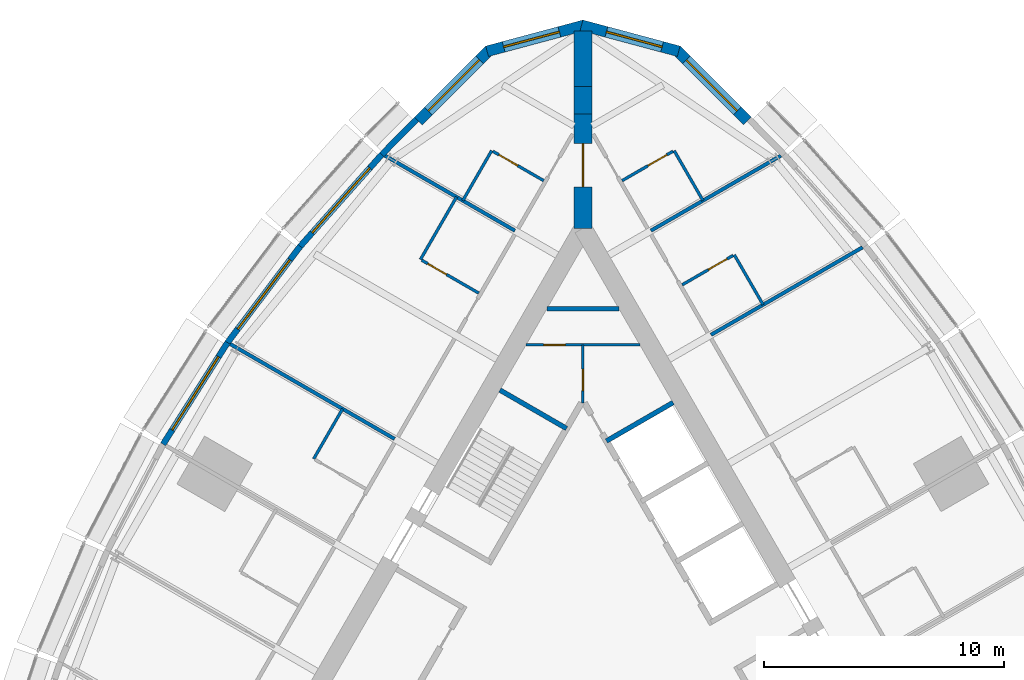
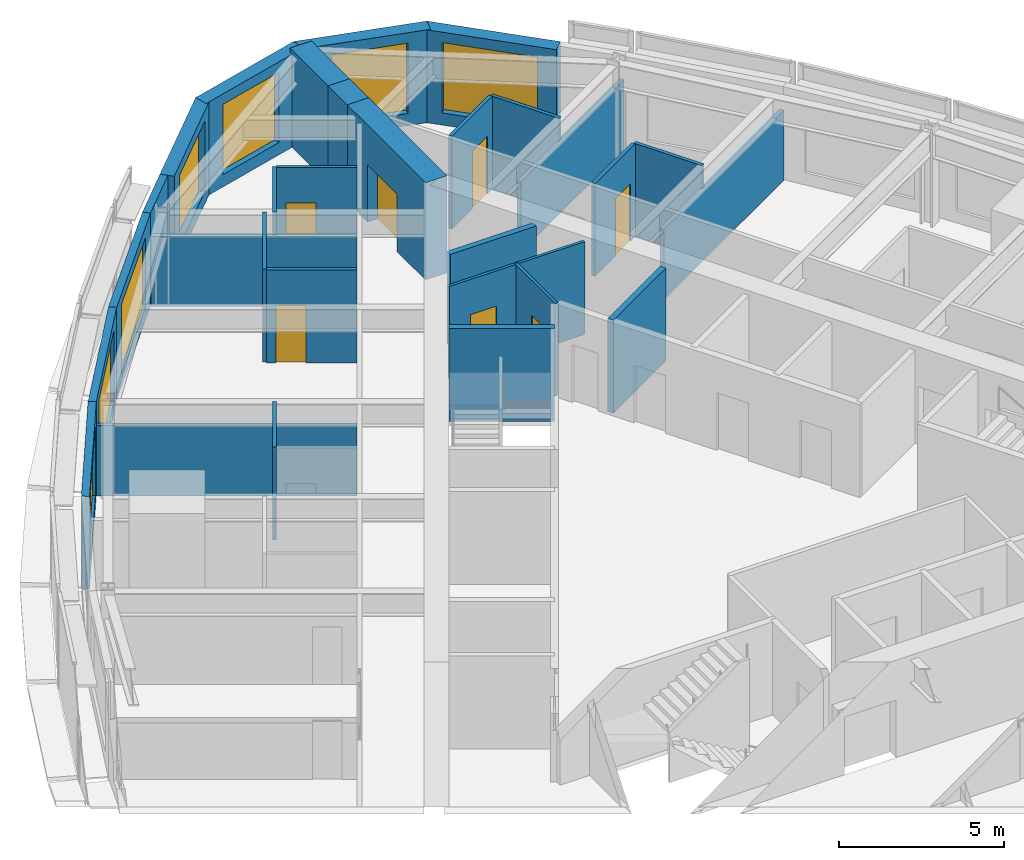
# One storey, part 13 of 15: 29 walls, 7 doors, 7 windows, 14 openings.
"""IFC4 building model written with IfcOpenShell, lengths in metres."""

from ifc_helpers import new_model, si_unit, direction, frame, frame_2d, origin, place, context, subcontext, project, spatial, polyline, rectangle, outline, extrude, material, layer, layer_set, type_object, element, fill, save


model = new_model("IFC4")

# Units and contexts
model_context = context("Model", 3, precision=1e-05, world=origin(), true_north=direction((0.0, 1.0)))
body_context = subcontext(model_context, "Body", "Model", "MODEL_VIEW")
ifc_project = project(units=[si_unit("LENGTHUNIT", "METRE"), si_unit("AREAUNIT", "SQUARE_METRE"), si_unit("VOLUMEUNIT", "CUBIC_METRE"), si_unit("PLANEANGLEUNIT", "RADIAN"), si_unit("MASSUNIT", "GRAM", prefix="KILO")], contexts=[model_context])

# Site, building, storey
site_placement = place(None, origin())
site = spatial("IfcSite", under=ifc_project, at=site_placement, CompositionType="ELEMENT")
building_placement = place(site_placement, origin())
building = spatial("IfcBuilding", under=site, at=building_placement, Name="Trikona Tower", CompositionType="ELEMENT")
storey_placement = place(building_placement, frame((0.0, 0.0, 208.10009765625)))
storey = spatial("IfcBuildingStorey", under=building, at=storey_placement, Name="L55", CompositionType="ELEMENT", Elevation=208.10009765625)

# Wall
ifc_material_1 = material(Name="Metal stud and cement board", Category="gypsum")
ifc_layer_1 = layer(ifc_material_1, 0.1201171875)
ifc_layer_set_1 = layer_set([ifc_layer_1], Name="Bathroom wall 120")
wall_type_1 = type_object("IfcWallType", Name="Bathroom wall 120", PredefinedType="PLUMBINGWALL", material=ifc_layer_set_1)
wall_1_placement = place(storey_placement, frame((7.493408203125, 15.873291015625, 0.0), z_axis=(0.0, 0.0, 1.0), x_axis=(-0.499957262057, 0.866050077142, 0.0)))
element("IfcWall", 1, at=wall_1_placement, inside=storey, type_object=wall_type_1, Name="Bathroom wall 5510", PredefinedType="PLUMBINGWALL", context=body_context, shape_type="SweptSolid", body=[
    extrude(rectangle(XDim=2.400146484375, YDim=0.1201171875, at=frame_2d((1.2001953125, 0.0))), origin(), (0.0, 0.0, 1.0), 3.434814453125),
])

# Wall, opening, door
wall_2_placement = place(storey_placement, frame((4.12841796875, 16.701904296875, 0.0), z_axis=(0.0, 0.0, 1.0), x_axis=(0.866048967903, 0.499959183527, 0.0)))
wall_2 = element("IfcWall", 2, at=wall_2_placement, inside=storey, type_object=wall_type_1, Name="Bathroom wall 5510", PredefinedType="PLUMBINGWALL", context=body_context, shape_type="SweptSolid", body=[
    extrude(rectangle(XDim=2.440185546875, YDim=0.1201171875, at=frame_2d((1.22021484375, 0.0))), origin(), (0.0, 0.0, 1.0), 3.434814453125),
])
opening_1_placement = place(wall_2_placement, frame((1.25, 0.0, 0.0)))
opening_1 = element("IfcOpeningElement", 3, at=opening_1_placement, cuts=wall_2, Name="Opening D2", PredefinedType="OPENING", context=body_context, shape_type="SweptSolid", body=[
    extrude(rectangle(XDim=0.89990234375, YDim=2.1298828125, at=frame_2d((0.449951171875, 1.06494140625))), frame((0.0, 0.070068359375, 0.0), z_axis=(0.0, -1.0, 0.0), x_axis=(1.0, 0.0, 0.0)), (0.0, 0.0, 1.0), 0.14013671875),
])
ifc_material_2 = material(Name="Steel door frame with solid-core timber leaf", Category="steel")
door_type_1 = type_object("IfcDoorType", Name="Bathroom door 900x2130", OperationType="SLIDING_TO_LEFT", PredefinedType="DOOR", material=ifc_material_2)
door_1_placement = place(opening_1_placement, origin())
door_1 = element("IfcDoor", 4, at=door_1_placement, inside=storey, type_object=door_type_1, Name="Bathroom door 5510", OperationType="SLIDING_TO_LEFT", OverallHeight=2.1298828125, OverallWidth=0.89990234375, PredefinedType="DOOR", context=body_context, shape_type="SweptSolid", body=[
    extrude(rectangle(XDim=0.89990234375, YDim=2.1298828125, at=frame_2d((0.449951171875, 1.06494140625))), frame((0.0, 0.02490234375, 0.0), z_axis=(0.0, -1.0, 0.0), x_axis=(1.0, 0.0, 0.0)), (0.0, 0.0, 1.0), 0.050048828125),
])
fill(opening_1, door_1)

# Wall
wall_3_placement = place(storey_placement, frame((4.993408203125, 20.20361328125, 0.0), z_axis=(0.0, 0.0, 1.0), x_axis=(-0.500001309137, 0.866024647952, 0.0)))
element("IfcWall", 5, at=wall_3_placement, inside=storey, type_object=wall_type_1, Name="Bathroom wall 5511", PredefinedType="PLUMBINGWALL", context=body_context, shape_type="SweptSolid", body=[
    extrude(rectangle(XDim=2.39990234375, YDim=0.1201171875, at=frame_2d((1.199951171875, 0.0))), origin(), (0.0, 0.0, 1.0), 3.434814453125),
])

# Wall, opening, door
wall_4_placement = place(storey_placement, frame((1.62841796875, 21.031982421875, 0.0), z_axis=(0.0, 0.0, 1.0), x_axis=(0.866048967903, 0.499959183527, 0.0)))
wall_4 = element("IfcWall", 6, at=wall_4_placement, inside=storey, type_object=wall_type_1, Name="Bathroom wall 5511", PredefinedType="PLUMBINGWALL", context=body_context, shape_type="SweptSolid", body=[
    extrude(rectangle(XDim=2.440185546875, YDim=0.1201171875, at=frame_2d((1.22021484375, 0.0))), origin(), (0.0, 0.0, 1.0), 3.434814453125),
])
opening_2_placement = place(wall_4_placement, frame((1.25, 0.0, 0.0)))
opening_2 = element("IfcOpeningElement", 7, at=opening_2_placement, cuts=wall_4, Name="Opening D2", PredefinedType="OPENING", context=body_context, shape_type="SweptSolid", body=[
    extrude(rectangle(XDim=0.89990234375, YDim=2.1298828125, at=frame_2d((0.449951171875, 1.06494140625))), frame((0.0, 0.070068359375, 0.0), z_axis=(0.0, -1.0, 0.0), x_axis=(1.0, 0.0, 0.0)), (0.0, 0.0, 1.0), 0.14013671875),
])
door_2_placement = place(opening_2_placement, origin())
door_2 = element("IfcDoor", 8, at=door_2_placement, inside=storey, type_object=door_type_1, Name="Bathroom door 5511", OperationType="SLIDING_TO_LEFT", OverallHeight=2.1298828125, OverallWidth=0.89990234375, PredefinedType="DOOR", context=body_context, shape_type="SweptSolid", body=[
    extrude(rectangle(XDim=0.89990234375, YDim=2.1298828125, at=frame_2d((0.449951171875, 1.06494140625))), frame((0.0, 0.02490234375, 0.0), z_axis=(0.0, -1.0, 0.0), x_axis=(1.0, 0.0, 0.0)), (0.0, 0.0, 1.0), 0.050048828125),
])
fill(opening_2, door_2)

# Wall
wall_5_placement = place(storey_placement, frame((-3.79345703125, 22.281982421875, 0.0), z_axis=(0.0, 0.0, 1.0), x_axis=(-0.500001309137, -0.866024647952, 0.0)))
element("IfcWall", 9, at=wall_5_placement, inside=storey, type_object=wall_type_1, Name="Bathroom wall 5512", PredefinedType="PLUMBINGWALL", context=body_context, shape_type="SweptSolid", body=[
    extrude(rectangle(XDim=2.39990234375, YDim=0.1201171875, at=frame_2d((1.199951171875, 0.0))), origin(), (0.0, 0.0, 1.0), 3.434814453125),
])

# Wall, opening, door
wall_6_placement = place(storey_placement, frame((-1.62841796875, 21.031982421875, 0.0), z_axis=(0.0, 0.0, 1.0), x_axis=(-0.866048967903, 0.499959183527, 0.0)))
wall_6 = element("IfcWall", 10, at=wall_6_placement, inside=storey, type_object=wall_type_1, Name="Bathroom wall 5512", PredefinedType="PLUMBINGWALL", context=body_context, shape_type="SweptSolid", body=[
    extrude(rectangle(XDim=2.440185546875, YDim=0.1201171875, at=frame_2d((1.22021484375, 0.0))), origin(), (0.0, 0.0, 1.0), 3.434814453125),
])
opening_3_placement = place(wall_6_placement, frame((1.25, 0.0, 0.0)))
opening_3 = element("IfcOpeningElement", 11, at=opening_3_placement, cuts=wall_6, Name="Opening D2", PredefinedType="OPENING", context=body_context, shape_type="SweptSolid", body=[
    extrude(rectangle(XDim=0.89990234375, YDim=2.1298828125, at=frame_2d((0.449951171875, 1.06494140625))), frame((0.0, 0.070068359375, 0.0), z_axis=(0.0, -1.0, 0.0), x_axis=(1.0, 0.0, 0.0)), (0.0, 0.0, 1.0), 0.14013671875),
])
door_3_placement = place(opening_3_placement, origin())
door_3 = element("IfcDoor", 12, at=door_3_placement, inside=storey, type_object=door_type_1, Name="Bathroom door 5512", OperationType="SLIDING_TO_LEFT", OverallHeight=2.1298828125, OverallWidth=0.89990234375, PredefinedType="DOOR", context=body_context, shape_type="SweptSolid", body=[
    extrude(rectangle(XDim=0.89990234375, YDim=2.1298828125, at=frame_2d((0.449951171875, 1.06494140625))), frame((0.0, 0.02490234375, 0.0), z_axis=(0.0, -1.0, 0.0), x_axis=(1.0, 0.0, 0.0)), (0.0, 0.0, 1.0), 0.050048828125),
])
fill(opening_3, door_3)

# Wall
wall_7_placement = place(storey_placement, frame((-5.25341796875, 20.353515625, 0.0), z_axis=(0.0, 0.0, 1.0), x_axis=(-0.499990139034, -0.866031096941, 0.0)))
element("IfcWall", 13, at=wall_7_placement, inside=storey, type_object=wall_type_1, Name="Bathroom wall 5513", PredefinedType="PLUMBINGWALL", context=body_context, shape_type="SweptSolid", body=[
    extrude(rectangle(XDim=3.0, YDim=0.1201171875, at=frame_2d((1.5, 0.0))), origin(), (0.0, 0.0, 1.0), 3.434814453125),
])

# Wall, opening, door
wall_8_placement = place(storey_placement, frame((-4.32861328125, 16.35546875, 0.0), z_axis=(0.0, 0.0, 1.0), x_axis=(-0.866035715982, 0.499982138324, 0.0)))
wall_8 = element("IfcWall", 14, at=wall_8_placement, inside=storey, type_object=wall_type_1, Name="Bathroom wall 5513", PredefinedType="PLUMBINGWALL", context=body_context, shape_type="SweptSolid", body=[
    extrude(rectangle(XDim=2.73974609375, YDim=0.1201171875, at=frame_2d((1.369873046875, 0.0))), origin(), (0.0, 0.0, 1.0), 3.434814453125),
])
opening_4_placement = place(wall_8_placement, frame((1.550048828125, 0.0, 0.0)))
opening_4 = element("IfcOpeningElement", 15, at=opening_4_placement, cuts=wall_8, Name="Opening D2", PredefinedType="OPENING", context=body_context, shape_type="SweptSolid", body=[
    extrude(rectangle(XDim=0.89990234375, YDim=2.1298828125, at=frame_2d((0.449951171875, 1.06494140625))), frame((0.0, 0.070068359375, 0.0), z_axis=(0.0, -1.0, 0.0), x_axis=(1.0, 0.0, 0.0)), (0.0, 0.0, 1.0), 0.14013671875),
])
door_4_placement = place(opening_4_placement, origin())
door_4 = element("IfcDoor", 16, at=door_4_placement, inside=storey, type_object=door_type_1, Name="Bathroom door 5513", OperationType="SLIDING_TO_LEFT", OverallHeight=2.1298828125, OverallWidth=0.89990234375, PredefinedType="DOOR", context=body_context, shape_type="SweptSolid", body=[
    extrude(rectangle(XDim=0.89990234375, YDim=2.1298828125, at=frame_2d((0.449951171875, 1.06494140625))), frame((0.0, 0.02490234375, 0.0), z_axis=(0.0, -1.0, 0.0), x_axis=(1.0, 0.0, 0.0)), (0.0, 0.0, 1.0), 0.050048828125),
])
fill(opening_4, door_4)

# Wall
wall_9_placement = place(storey_placement, frame((-9.993408203125, 11.543212890625, 0.0), z_axis=(0.0, 0.0, 1.0), x_axis=(-0.500077600433, -0.865980596518, 0.0)))
element("IfcWall", 17, at=wall_9_placement, inside=storey, type_object=wall_type_1, Name="Bathroom wall 5514", PredefinedType="PLUMBINGWALL", context=body_context, shape_type="SweptSolid", body=[
    extrude(rectangle(XDim=2.39990234375, YDim=0.1201171875, at=frame_2d((1.199951171875, 0.0))), origin(), (0.0, 0.0, 1.0), 3.434814453125),
])

# Wall, opening, window
ifc_material_3 = material(Name="Brick-faced precast concrete", Category="masonry")
ifc_layer_2 = layer(ifc_material_3, 0.449951171875)
ifc_layer_set_2 = layer_set([ifc_layer_2], Name="Brick-faced corner wall 450")
wall_type_2 = type_object("IfcWallType", Name="Brick-faced corner wall 450", PredefinedType="SOLIDWALL", material=ifc_layer_set_2)
wall_10_placement = place(storey_placement, frame((6.8408203125, 23.51220703125, 0.0), z_axis=(0.0, 0.0, 1.0), x_axis=(-0.707106781187, 0.707106781187, 0.0)))
wall_10 = element("IfcWall", 18, at=wall_10_placement, inside=storey, type_object=wall_type_2, Name="External wall L55-20", PredefinedType="SOLIDWALL", context=body_context, shape_type="SweptSolid", body=[
    extrude(rectangle(XDim=4.183837890625, YDim=0.449951171875, at=frame_2d((2.091796875, 0.0))), origin(), (0.0, 0.0, 1.0), 3.434814453125),
])
opening_5_placement = place(wall_10_placement, frame((0.592041015625, 0.0, 0.449951171875)))
opening_5 = element("IfcOpeningElement", 19, at=opening_5_placement, cuts=wall_10, Name="Opening W3026", PredefinedType="OPENING", context=body_context, shape_type="SweptSolid", body=[
    extrude(rectangle(XDim=3.0, YDim=2.60009765625, at=frame_2d((1.5, 1.300048828125))), frame((0.0, 0.23486328125, 0.0), z_axis=(0.0, -1.0, 0.0), x_axis=(1.0, 0.0, 0.0)), (0.0, 0.0, 1.0), 0.469970703125),
])
ifc_material_4 = material(Name="Aluminium-framed double glazing", Category="aluminium")
window_type_1 = type_object("IfcWindowType", Name="Window 3000x2600", PartitioningType="SINGLE_PANEL", PredefinedType="WINDOW", material=ifc_material_4)
window_1_placement = place(opening_5_placement, origin())
window_1 = element("IfcWindow", 20, at=window_1_placement, inside=storey, type_object=window_type_1, Name="Window 5511", OverallHeight=2.60009765625, OverallWidth=3.0, PartitioningType="SINGLE_PANEL", PredefinedType="WINDOW", context=body_context, shape_type="SweptSolid", body=[
    extrude(rectangle(XDim=3.0, YDim=2.60009765625, at=frame_2d((1.5, 1.300048828125))), frame((0.0, 0.030029296875, 0.0), z_axis=(0.0, -1.0, 0.0), x_axis=(1.0, 0.0, 0.0)), (0.0, 0.0, 1.0), 0.06005859375),
])
fill(opening_5, window_1)

wall_11_placement = place(storey_placement, frame((3.9833984375, 26.41259765625, 0.0), z_axis=(0.0, 0.0, 1.0), x_axis=(-0.965920442324, 0.258839137498, 0.0)))
wall_11 = element("IfcWall", 21, at=wall_11_placement, inside=storey, type_object=wall_type_2, Name="External wall L55-21", PredefinedType="SOLIDWALL", context=body_context, shape_type="SweptSolid", body=[
    extrude(outline(polyline([(4.18408203125, 0.22509765625), (4.124267578125, 0.22509765625), (3.70556640625, 0.11279296875), (3.675537109375, 0.22509765625), (0.0, 0.22509765625), (0.0, -0.22509765625), (4.18408203125, -0.22509765625), (4.18408203125, 0.22509765625)])), origin(), (0.0, 0.0, 1.0), 3.434814453125),
])
opening_6_placement = place(wall_11_placement, frame((0.712646484375, 0.0, 0.449951171875)))
opening_6 = element("IfcOpeningElement", 22, at=opening_6_placement, cuts=wall_11, Name="Opening W2426", PredefinedType="OPENING", context=body_context, shape_type="SweptSolid", body=[
    extrude(rectangle(XDim=2.39990234375, YDim=2.60009765625, at=frame_2d((1.199951171875, 1.300048828125))), frame((0.0, 0.23486328125, 0.0), z_axis=(0.0, -1.0, 0.0), x_axis=(1.0, 0.0, 0.0)), (0.0, 0.0, 1.0), 0.469970703125),
])
ifc_material_5 = material(Name="Aluminium-framed double glazing", Category="aluminium")
window_type_2 = type_object("IfcWindowType", Name="Window 2400x2600", PartitioningType="SINGLE_PANEL", PredefinedType="WINDOW", material=ifc_material_5)
window_2_placement = place(opening_6_placement, origin())
window_2 = element("IfcWindow", 23, at=window_2_placement, inside=storey, type_object=window_type_2, Name="Window 5511", OverallHeight=2.60009765625, OverallWidth=2.39990234375, PartitioningType="SINGLE_PANEL", PredefinedType="WINDOW", context=body_context, shape_type="SweptSolid", body=[
    extrude(rectangle(XDim=2.39990234375, YDim=2.60009765625, at=frame_2d((1.199951171875, 1.300048828125))), frame((0.0, 0.030029296875, 0.0), z_axis=(0.0, -1.0, 0.0), x_axis=(1.0, 0.0, 0.0)), (0.0, 0.0, 1.0), 0.06005859375),
])
fill(opening_6, window_2)

wall_12_placement = place(storey_placement, frame((0.05810546875, 27.49560546875, 0.0), z_axis=(0.0, 0.0, 1.0), x_axis=(-0.965920442324, -0.258839137498, 0.0)))
wall_12 = element("IfcWall", 24, at=wall_12_placement, inside=storey, type_object=wall_type_2, Name="External wall L55-22", PredefinedType="SOLIDWALL", context=body_context, shape_type="SweptSolid", body=[
    extrude(outline(polyline([(4.18408203125, 0.22509765625), (0.5087890625, 0.22509765625), (0.478515625, 0.11279296875), (0.059814453125, 0.22509765625), (0.0, 0.22509765625), (0.0, -0.22509765625), (4.18408203125, -0.22509765625), (4.18408203125, 0.22509765625)])), origin(), (0.0, 0.0, 1.0), 3.434814453125),
])
opening_7_placement = place(wall_12_placement, frame((1.0712890625, 0.0, 0.449951171875)))
opening_7 = element("IfcOpeningElement", 25, at=opening_7_placement, cuts=wall_12, Name="Opening W2426", PredefinedType="OPENING", context=body_context, shape_type="SweptSolid", body=[
    extrude(rectangle(XDim=2.39990234375, YDim=2.60009765625, at=frame_2d((1.199951171875, 1.300048828125))), frame((0.0, 0.23486328125, 0.0), z_axis=(0.0, -1.0, 0.0), x_axis=(1.0, 0.0, 0.0)), (0.0, 0.0, 1.0), 0.469970703125),
])
window_3_placement = place(opening_7_placement, origin())
window_3 = element("IfcWindow", 26, at=window_3_placement, inside=storey, type_object=window_type_2, Name="Window 5512", OverallHeight=2.60009765625, OverallWidth=2.39990234375, PartitioningType="SINGLE_PANEL", PredefinedType="WINDOW", context=body_context, shape_type="SweptSolid", body=[
    extrude(rectangle(XDim=2.39990234375, YDim=2.60009765625, at=frame_2d((1.199951171875, 1.300048828125))), frame((0.0, 0.030029296875, 0.0), z_axis=(0.0, -1.0, 0.0), x_axis=(1.0, 0.0, 0.0)), (0.0, 0.0, 1.0), 0.06005859375),
])
fill(opening_7, window_3)

wall_13_placement = place(storey_placement, frame((-3.88232421875, 26.470703125, 0.0), z_axis=(0.0, 0.0, 1.0), x_axis=(-0.707106781187, -0.707106781187, 0.0)))
wall_13 = element("IfcWall", 27, at=wall_13_placement, inside=storey, type_object=wall_type_2, Name="External wall L55-23", PredefinedType="SOLIDWALL", context=body_context, shape_type="SweptSolid", body=[
    extrude(rectangle(XDim=4.183837890625, YDim=0.449951171875, at=frame_2d((2.091796875, 0.0))), origin(), (0.0, 0.0, 1.0), 3.434814453125),
])
opening_8_placement = place(wall_13_placement, frame((0.592041015625, 0.0, 0.449951171875)))
opening_8 = element("IfcOpeningElement", 28, at=opening_8_placement, cuts=wall_13, Name="Opening W3026", PredefinedType="OPENING", context=body_context, shape_type="SweptSolid", body=[
    extrude(rectangle(XDim=3.0, YDim=2.60009765625, at=frame_2d((1.5, 1.300048828125))), frame((0.0, 0.23486328125, 0.0), z_axis=(0.0, -1.0, 0.0), x_axis=(1.0, 0.0, 0.0)), (0.0, 0.0, 1.0), 0.469970703125),
])
window_4_placement = place(opening_8_placement, origin())
window_4 = element("IfcWindow", 29, at=window_4_placement, inside=storey, type_object=window_type_1, Name="Window 5512", OverallHeight=2.60009765625, OverallWidth=3.0, PartitioningType="SINGLE_PANEL", PredefinedType="WINDOW", context=body_context, shape_type="SweptSolid", body=[
    extrude(rectangle(XDim=3.0, YDim=2.60009765625, at=frame_2d((1.5, 1.300048828125))), frame((0.0, 0.030029296875, 0.0), z_axis=(0.0, -1.0, 0.0), x_axis=(1.0, 0.0, 0.0)), (0.0, 0.0, 1.0), 0.06005859375),
])
fill(opening_8, window_4)

# Wall, opening, door
ifc_material_6 = material(Name="Concrete f'c 10000 psi", Category="concrete")
ifc_layer_3 = layer(ifc_material_6, 0.75)
ifc_layer_set_3 = layer_set([ifc_layer_3], Name="Buttress wall 750")
wall_type_3 = type_object("IfcWallType", Name="Buttress wall 750", PredefinedType="SHEAR", material=ifc_layer_set_3)
wall_14_placement = place(storey_placement, frame((0.0, 19.052490234375, 0.0), z_axis=(0.0, 0.0, 1.0), x_axis=(0.0, 1.0, 0.0)))
wall_14 = element("IfcWall", 30, at=wall_14_placement, inside=storey, type_object=wall_type_3, Name="Buttress wall 2", PredefinedType="SHEAR", context=body_context, shape_type="SweptSolid", body=[
    extrude(rectangle(XDim=4.74609375, YDim=0.75, at=frame_2d((2.373046875, 0.0))), origin(), (0.0, 0.0, 1.0), 3.599853515625),
])
opening_9_placement = place(wall_14_placement, frame((1.72509765625, 0.0, 0.0)))
opening_9 = element("IfcOpeningElement", 31, at=opening_9_placement, cuts=wall_14, Name="Opening D10", PredefinedType="OPENING", context=body_context, shape_type="SweptSolid", body=[
    extrude(rectangle(XDim=1.800048828125, YDim=2.1298828125, at=frame_2d((0.89990234375, 1.06494140625))), frame((0.0, 0.385009765625, 0.0), z_axis=(0.0, -1.0, 0.0), x_axis=(1.0, 0.0, 0.0)), (0.0, 0.0, 1.0), 0.77001953125),
])
ifc_material_7 = material(Name="Hollow metal door and frame", Category="steel")
door_type_2 = type_object("IfcDoorType", Name="Cross-corridor door pair 1800x2130", OperationType="DOUBLE_DOOR_DOUBLE_SWING", PredefinedType="DOOR", material=ifc_material_7)
door_5_placement = place(opening_9_placement, origin())
door_5 = element("IfcDoor", 32, at=door_5_placement, inside=storey, type_object=door_type_2, Name="Cross-corridor door 2", OperationType="DOUBLE_DOOR_DOUBLE_SWING", OverallHeight=2.1298828125, OverallWidth=1.800048828125, PredefinedType="DOOR", context=body_context, shape_type="SweptSolid", body=[
    extrude(rectangle(XDim=1.800048828125, YDim=2.1298828125, at=frame_2d((0.89990234375, 1.06494140625))), frame((0.0, 0.02490234375, 0.0), z_axis=(0.0, -1.0, 0.0), x_axis=(1.0, 0.0, 0.0)), (0.0, 0.0, 1.0), 0.050048828125),
])
fill(opening_9, door_5)

# Walls
wall_15_placement = place(storey_placement, frame((0.0, 23.798583984375, 0.0), z_axis=(0.0, 0.0, 1.0), x_axis=(0.0, 1.0, 0.0)))
element("IfcWall", 33, at=wall_15_placement, inside=storey, type_object=wall_type_3, Name="Buttress wall 2 part 2", PredefinedType="SHEAR", context=body_context, shape_type="SweptSolid", body=[
    extrude(rectangle(XDim=1.15478515625, YDim=0.75, at=frame_2d((0.577392578125, 0.0))), origin(), (0.0, 0.0, 1.0), 3.599853515625),
])
wall_16_placement = place(storey_placement, frame((0.0, 24.953369140625, 0.0), z_axis=(0.0, 0.0, 1.0), x_axis=(0.0, 1.0, 0.0)))
element("IfcWall", 34, at=wall_16_placement, inside=storey, type_object=wall_type_3, Name="Buttress wall 2 part 3", PredefinedType="SHEAR", context=body_context, shape_type="SweptSolid", body=[
    extrude(rectangle(XDim=2.309326171875, YDim=0.75, at=frame_2d((1.15478515625, 0.0))), origin(), (0.0, 0.0, 1.0), 3.599853515625),
])
ifc_material_8 = material(Name="Insulated precast concrete spandrel panel", Category="concrete")
ifc_layer_4 = layer(ifc_material_8, 0.25)
ifc_layer_set_4 = layer_set([ifc_layer_4], Name="Inner skin wall 250")
wall_type_4 = type_object("IfcWallType", Name="Inner skin wall 250", PredefinedType="STANDARD", material=ifc_layer_set_4)
wall_17_placement = place(storey_placement, frame((-6.9111328125, 23.58349609375, 0.0), z_axis=(0.0, 0.0, 1.0), x_axis=(-0.704149946111, -0.710051303352, 0.0)))
element("IfcWall", 35, at=wall_17_placement, inside=storey, type_object=wall_type_4, Name="External wall L55-24", PredefinedType="STANDARD", context=body_context, shape_type="SweptSolid", body=[
    extrude(rectangle(XDim=2.068603515625, YDim=0.25, at=frame_2d((1.0341796875, 0.0))), origin(), (0.0, 0.0, 1.0), 3.434814453125),
])

# Wall, opening, window
wall_18_placement = place(storey_placement, frame((-8.363037109375, 22.119873046875, 0.0), z_axis=(0.0, 0.0, 1.0), x_axis=(-0.664348996191, -0.747422511876, 0.0)))
wall_18 = element("IfcWall", 36, at=wall_18_placement, inside=storey, type_object=wall_type_4, Name="External wall L55-25", PredefinedType="STANDARD", context=body_context, shape_type="SweptSolid", body=[
    extrude(rectangle(XDim=5.104736328125, YDim=0.25, at=frame_2d((2.55224609375, 0.0))), origin(), (0.0, 0.0, 1.0), 3.434814453125),
])
opening_10_placement = place(wall_18_placement, frame((0.75244140625, 0.0, 0.449951171875)))
opening_10 = element("IfcOpeningElement", 37, at=opening_10_placement, cuts=wall_18, Name="Opening W3626", PredefinedType="OPENING", context=body_context, shape_type="SweptSolid", body=[
    extrude(rectangle(XDim=3.60009765625, YDim=2.60009765625, at=frame_2d((1.800048828125, 1.300048828125))), frame((0.0, 0.135009765625, 0.0), z_axis=(0.0, -1.0, 0.0), x_axis=(1.0, 0.0, 0.0)), (0.0, 0.0, 1.0), 0.27001953125),
])
ifc_material_9 = material(Name="Aluminium-framed double glazing", Category="aluminium")
window_type_3 = type_object("IfcWindowType", Name="Window 3600x2600", PartitioningType="SINGLE_PANEL", PredefinedType="WINDOW", material=ifc_material_9)
window_5_placement = place(opening_10_placement, origin())
window_5 = element("IfcWindow", 38, at=window_5_placement, inside=storey, type_object=window_type_3, Name="Window 5513", OverallHeight=2.60009765625, OverallWidth=3.60009765625, PartitioningType="SINGLE_PANEL", PredefinedType="WINDOW", context=body_context, shape_type="SweptSolid", body=[
    extrude(rectangle(XDim=3.60009765625, YDim=2.60009765625, at=frame_2d((1.800048828125, 1.300048828125))), frame((0.0, 0.030029296875, 0.0), z_axis=(0.0, -1.0, 0.0), x_axis=(1.0, 0.0, 0.0)), (0.0, 0.0, 1.0), 0.06005859375),
])
fill(opening_10, window_5)

wall_19_placement = place(storey_placement, frame((-11.748046875, 18.31201171875, 0.0), z_axis=(0.0, 0.0, 1.0), x_axis=(-0.602408653511, -0.798187831388, 0.0)))
wall_19 = element("IfcWall", 39, at=wall_19_placement, inside=storey, type_object=wall_type_4, Name="External wall L55-26", PredefinedType="STANDARD", context=body_context, shape_type="SweptSolid", body=[
    extrude(rectangle(XDim=5.037841796875, YDim=0.25, at=frame_2d((2.51904296875, 0.0))), origin(), (0.0, 0.0, 1.0), 3.434814453125),
])
opening_11_placement = place(wall_19_placement, frame((0.718994140625, 0.0, 0.449951171875)))
opening_11 = element("IfcOpeningElement", 40, at=opening_11_placement, cuts=wall_19, Name="Opening W3626", PredefinedType="OPENING", context=body_context, shape_type="SweptSolid", body=[
    extrude(rectangle(XDim=3.60009765625, YDim=2.60009765625, at=frame_2d((1.800048828125, 1.300048828125))), frame((0.0, 0.135009765625, 0.0), z_axis=(0.0, -1.0, 0.0), x_axis=(1.0, 0.0, 0.0)), (0.0, 0.0, 1.0), 0.27001953125),
])
window_6_placement = place(opening_11_placement, origin())
window_6 = element("IfcWindow", 41, at=window_6_placement, inside=storey, type_object=window_type_3, Name="Window 5513", OverallHeight=2.60009765625, OverallWidth=3.60009765625, PartitioningType="SINGLE_PANEL", PredefinedType="WINDOW", context=body_context, shape_type="SweptSolid", body=[
    extrude(rectangle(XDim=3.60009765625, YDim=2.60009765625, at=frame_2d((1.800048828125, 1.300048828125))), frame((0.0, 0.030029296875, 0.0), z_axis=(0.0, -1.0, 0.0), x_axis=(1.0, 0.0, 0.0)), (0.0, 0.0, 1.0), 0.06005859375),
])
fill(opening_11, window_6)

wall_20_placement = place(storey_placement, frame((-14.777099609375, 14.29931640625, 0.0), z_axis=(0.0, 0.0, 1.0), x_axis=(-0.535220361449, -0.844712474568, 0.0)))
wall_20 = element("IfcWall", 42, at=wall_20_placement, inside=storey, type_object=wall_type_4, Name="External wall L55-27", PredefinedType="STANDARD", context=body_context, shape_type="SweptSolid", body=[
    extrude(rectangle(XDim=5.00439453125, YDim=0.25, at=frame_2d((2.502197265625, 0.0))), origin(), (0.0, 0.0, 1.0), 3.434814453125),
])
opening_12_placement = place(wall_20_placement, frame((0.7021484375, 0.0, 0.449951171875)))
opening_12 = element("IfcOpeningElement", 43, at=opening_12_placement, cuts=wall_20, Name="Opening W3626", PredefinedType="OPENING", context=body_context, shape_type="SweptSolid", body=[
    extrude(rectangle(XDim=3.60009765625, YDim=2.60009765625, at=frame_2d((1.800048828125, 1.300048828125))), frame((0.0, 0.135009765625, 0.0), z_axis=(0.0, -1.0, 0.0), x_axis=(1.0, 0.0, 0.0)), (0.0, 0.0, 1.0), 0.27001953125),
])
window_7_placement = place(opening_12_placement, origin())
window_7 = element("IfcWindow", 44, at=window_7_placement, inside=storey, type_object=window_type_3, Name="Window 5514", OverallHeight=2.60009765625, OverallWidth=3.60009765625, PartitioningType="SINGLE_PANEL", PredefinedType="WINDOW", context=body_context, shape_type="SweptSolid", body=[
    extrude(rectangle(XDim=3.60009765625, YDim=2.60009765625, at=frame_2d((1.800048828125, 1.300048828125))), frame((0.0, 0.030029296875, 0.0), z_axis=(0.0, -1.0, 0.0), x_axis=(1.0, 0.0, 0.0)), (0.0, 0.0, 1.0), 0.06005859375),
])
fill(opening_12, window_7)

# Walls
ifc_material_10 = material(Name="Metal stud and gypsum board, 1-hour acoustic", Category="gypsum")
ifc_layer_5 = layer(ifc_material_10, 0.14990234375)
ifc_layer_set_5 = layer_set([ifc_layer_5], Name="Party wall 150")
wall_type_5 = type_object("IfcWallType", Name="Party wall 150", PredefinedType="PARTITIONING", material=ifc_layer_set_5)
wall_21_placement = place(storey_placement, frame((5.32861328125, 14.623291015625, 0.0), z_axis=(0.0, 0.0, 1.0), x_axis=(0.866017877653, 0.500013035415, 0.0)))
element("IfcWall", 45, at=wall_21_placement, inside=storey, type_object=wall_type_5, Name="Partition L55 F2 u10", PredefinedType="PARTITIONING", context=body_context, shape_type="SweptSolid", body=[
    extrude(rectangle(XDim=7.272705078125, YDim=0.14990234375, at=frame_2d((3.63623046875, 0.0))), origin(), (0.0, 0.0, 1.0), 2.589111328125),
])
for number, where, z_axis, x_axis, name in (
    (46, (2.82861328125, 18.95361328125, 0.0), (0.0, 0.0, 1.0), (0.866026604282, 0.499997920671, 0.0), "Partition L55 F2 u15"),
    (47, (-2.82861328125, 18.95361328125, 0.0), (0.0, 0.0, 1.0), (-0.866026604282, 0.499997920671, 0.0), "Partition L55 F3 u-15"),
):
    element("IfcWall", number, at=place(storey_placement, frame(where, z_axis=z_axis, x_axis=x_axis)), inside=storey, type_object=wall_type_5, Name=name, PredefinedType="PARTITIONING", context=body_context, shape_type="SweptSolid", body=[
        extrude(rectangle(XDim=6.23974609375, YDim=0.14990234375, at=frame_2d((3.119873046875, 0.0))), origin(), (0.0, 0.0, 1.0), 2.589111328125),
    ])
wall_22_placement = place(storey_placement, frame((-7.82861328125, 10.293212890625, 0.0), z_axis=(0.0, 0.0, 1.0), x_axis=(-0.866030558329, 0.49999107196, 0.0)))
element("IfcWall", 48, at=wall_22_placement, inside=storey, type_object=wall_type_5, Name="Partition L55 F3 u-5", PredefinedType="PARTITIONING", context=body_context, shape_type="SweptSolid", body=[
    extrude(rectangle(XDim=7.893798828125, YDim=0.14990234375, at=frame_2d((3.94677734375, 0.0))), origin(), (0.0, 0.0, 1.0), 2.589111328125),
])
ifc_material_11 = material(Name="Concrete f'c 8000 psi", Category="concrete")
ifc_layer_6 = layer(ifc_material_11, 0.199951171875)
ifc_layer_set_6 = layer_set([ifc_layer_6], Name="Shaft wall 200")
wall_type_6 = type_object("IfcWallType", Name="Shaft wall 200", PredefinedType="SOLIDWALL", material=ifc_layer_set_6)
wall_23_placement = place(storey_placement, frame((0.97900390625, 10.20703125, 0.0), z_axis=(0.0, 0.0, 1.0), x_axis=(0.866042017984, 0.499971222258, 0.0)))
element("IfcWall", 49, at=wall_23_placement, inside=storey, type_object=wall_type_6, Name="Shaft wall B6", PredefinedType="SOLIDWALL", context=body_context, shape_type="SweptSolid", body=[
    extrude(rectangle(XDim=3.199951171875, YDim=0.199951171875, at=frame_2d((1.60009765625, 0.0))), origin(), (0.0, 0.0, 1.0), 3.434814453125),
])
wall_24_placement = place(storey_placement, frame((-1.501220703125, 15.70263671875, 0.0), z_axis=(0.0, 0.0, 1.0), x_axis=(1.0, 0.0, 0.0)))
element("IfcWall", 50, at=wall_24_placement, inside=storey, type_object=wall_type_6, Name="Riser wall L55-RS2", PredefinedType="SOLIDWALL", context=body_context, shape_type="SweptSolid", body=[
    extrude(rectangle(XDim=3.00244140625, YDim=0.199951171875, at=frame_2d((1.501220703125, 0.0))), origin(), (0.0, 0.0, 1.0), 3.434814453125),
])
ifc_material_12 = material(Name="Concrete f'c 8000 psi", Category="concrete")
ifc_layer_7 = layer(ifc_material_12, 0.199951171875)
ifc_layer_set_7 = layer_set([ifc_layer_7], Name="Shaft wall 200 load-bearing")
wall_type_7 = type_object("IfcWallType", Name="Shaft wall 200 load-bearing", PredefinedType="SOLIDWALL", material=ifc_layer_set_7)
wall_25_placement = place(storey_placement, frame((-0.678955078125, 10.7265625, 0.0), z_axis=(0.0, 0.0, 1.0), x_axis=(-0.866008981251, 0.500028443584, 0.0)))
element("IfcWall", 51, at=wall_25_placement, inside=storey, type_object=wall_type_7, Name="Shaft wall C1", PredefinedType="SOLIDWALL", context=body_context, shape_type="SweptSolid", body=[
    extrude(rectangle(XDim=3.199951171875, YDim=0.199951171875, at=frame_2d((1.60009765625, 0.0))), origin(), (0.0, 0.0, 1.0), 3.434814453125),
])

# Wall, opening, door
ifc_material_13 = material(Name="Metal stud and gypsum board, acoustic", Category="gypsum")
ifc_layer_8 = layer(ifc_material_13, 0.10009765625)
ifc_layer_set_8 = layer_set([ifc_layer_8], Name="Suite partition 100")
wall_type_8 = type_object("IfcWallType", Name="Suite partition 100", PredefinedType="PARTITIONING", material=ifc_layer_set_8)
wall_26_placement = place(storey_placement, frame((-2.3671875, 14.20263671875, 0.0), z_axis=(0.0, 0.0, 1.0), x_axis=(1.0, 0.0, 0.0)))
wall_26 = element("IfcWall", 52, at=wall_26_placement, inside=storey, type_object=wall_type_8, Name="Store partition L55-RS2", PredefinedType="PARTITIONING", context=body_context, shape_type="SweptSolid", body=[
    extrude(rectangle(XDim=4.734375, YDim=0.10009765625, at=frame_2d((2.3671875, 0.0))), origin(), (0.0, 0.0, 1.0), 3.434814453125),
])
opening_13_placement = place(wall_26_placement, frame((0.733642578125, 0.0, 0.0)))
opening_13 = element("IfcOpeningElement", 53, at=opening_13_placement, cuts=wall_26, Name="Opening D15", PredefinedType="OPENING", context=body_context, shape_type="SweptSolid", body=[
    extrude(rectangle(XDim=0.89990234375, YDim=2.1298828125, at=frame_2d((0.449951171875, 1.06494140625))), frame((0.0, 0.06005859375, 0.0), z_axis=(0.0, -1.0, 0.0), x_axis=(1.0, 0.0, 0.0)), (0.0, 0.0, 1.0), 0.1201171875),
])
ifc_material_14 = material(Name="Steel door frame with solid-core timber leaf", Category="steel")
door_type_3 = type_object("IfcDoorType", Name="Store door 900x2130", OperationType="SINGLE_SWING_LEFT", PredefinedType="DOOR", material=ifc_material_14)
door_6_placement = place(opening_13_placement, origin())
door_6 = element("IfcDoor", 54, at=door_6_placement, inside=storey, type_object=door_type_3, Name="Door Cleaner's store CLN", OperationType="SINGLE_SWING_LEFT", OverallHeight=2.1298828125, OverallWidth=0.89990234375, PredefinedType="DOOR", context=body_context, shape_type="SweptSolid", body=[
    extrude(rectangle(XDim=0.89990234375, YDim=2.1298828125, at=frame_2d((0.449951171875, 1.06494140625))), frame((0.0, 0.02490234375, 0.0), z_axis=(0.0, -1.0, 0.0), x_axis=(1.0, 0.0, 0.0)), (0.0, 0.0, 1.0), 0.050048828125),
])
fill(opening_13, door_6)

wall_27_placement = place(storey_placement, frame((0.0, 14.20263671875, 0.0), z_axis=(0.0, 0.0, 1.0), x_axis=(0.0, -1.0, 0.0)))
wall_27 = element("IfcWall", 55, at=wall_27_placement, inside=storey, type_object=wall_type_8, Name="Store partition L55-RS2", PredefinedType="PARTITIONING", context=body_context, shape_type="SweptSolid", body=[
    extrude(rectangle(XDim=2.42529296875, YDim=0.10009765625, at=frame_2d((1.212646484375, 0.0))), origin(), (0.0, 0.0, 1.0), 3.434814453125),
])
opening_14_placement = place(wall_27_placement, frame((1.005126953125, 0.0, 0.0)))
opening_14 = element("IfcOpeningElement", 56, at=opening_14_placement, cuts=wall_27, Name="Opening D15", PredefinedType="OPENING", context=body_context, shape_type="SweptSolid", body=[
    extrude(rectangle(XDim=0.89990234375, YDim=2.1298828125, at=frame_2d((0.449951171875, 1.06494140625))), frame((0.0, 0.06005859375, 0.0), z_axis=(0.0, -1.0, 0.0), x_axis=(1.0, 0.0, 0.0)), (0.0, 0.0, 1.0), 0.1201171875),
])
door_7_placement = place(opening_14_placement, origin())
door_7 = element("IfcDoor", 57, at=door_7_placement, inside=storey, type_object=door_type_3, Name="Door Uniform store UNF", OperationType="SINGLE_SWING_RIGHT", OverallHeight=2.1298828125, OverallWidth=0.89990234375, PredefinedType="DOOR", context=body_context, shape_type="SweptSolid", body=[
    extrude(rectangle(XDim=0.89990234375, YDim=2.1298828125, at=frame_2d((0.449951171875, 1.06494140625))), frame((0.0, 0.02490234375, 0.0), z_axis=(0.0, -1.0, 0.0), x_axis=(1.0, 0.0, 0.0)), (0.0, 0.0, 1.0), 0.050048828125),
])
fill(opening_14, door_7)

save(model, "model.ifc")
